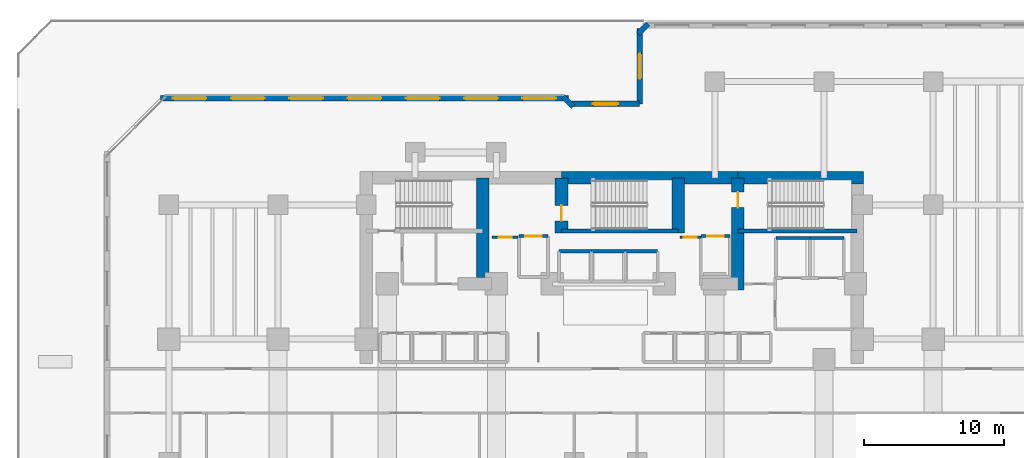
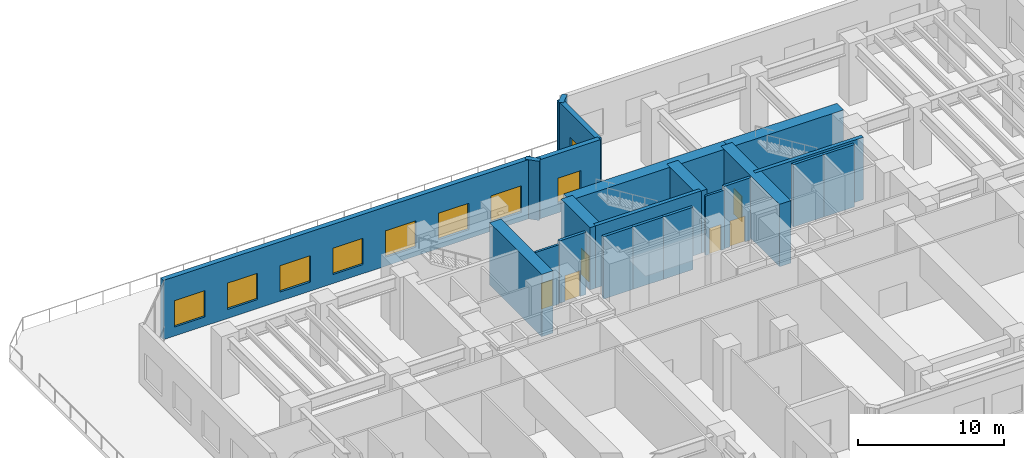
# One storey, part 7 of 13: 22 walls, 9 windows, 6 doors, 15 openings.
"""IFC4 building model written with IfcOpenShell, lengths in metres."""

from ifc_helpers import new_model, si_unit, direction, frame, frame_2d, origin, place, context, subcontext, project, spatial, rectangle, extrude, material, layer, layer_set, type_object, element, fill, save


model = new_model("IFC4")

# Units and contexts
model_context = context("Model", 3, precision=1e-05, world=origin(), true_north=direction((0.0, 1.0)))
body_context = subcontext(model_context, "Body", "Model", "MODEL_VIEW")
ifc_project = project(units=[si_unit("LENGTHUNIT", "METRE"), si_unit("AREAUNIT", "SQUARE_METRE"), si_unit("VOLUMEUNIT", "CUBIC_METRE"), si_unit("PLANEANGLEUNIT", "RADIAN"), si_unit("MASSUNIT", "GRAM", prefix="KILO")], contexts=[model_context])

# Site, building, storey
site_placement = place(None, origin())
site = spatial("IfcSite", under=ifc_project, at=site_placement, CompositionType="ELEMENT")
building_placement = place(site_placement, origin())
building = spatial("IfcBuilding", under=site, at=building_placement, Name="Kestravale Grand Hotel", CompositionType="ELEMENT")
storey_placement = place(building_placement, frame((0.0, 0.0, 20.800048828125)))
storey = spatial("IfcBuildingStorey", under=building, at=storey_placement, Name="L04", CompositionType="ELEMENT", Elevation=20.800048828125)

# Walls
ifc_material_1 = material(Name="Concrete f'c 70 MPa", Category="concrete")
ifc_layer_1 = layer(ifc_material_1, 0.89990234375)
ifc_layer_set_1 = layer_set([ifc_layer_1], Name="EW-CORE-900")
wall_type_1 = type_object("IfcWallType", Name="EW-CORE-900", PredefinedType="SHEAR", material=ifc_layer_set_1)
wall_1_placement = place(storey_placement, frame((35.85009765625, 40.320068359375, 0.0), z_axis=(0.0, 0.0, 1.0), x_axis=(1.0, 0.0, 0.0)))
element("IfcWall", 1, at=wall_1_placement, inside=storey, type_object=wall_type_1, Name="L04 core shear wall N2", PredefinedType="SHEAR", context=body_context, shape_type="SweptSolid", body=[
    extrude(rectangle(XDim=12.599853515625, YDim=0.89990234375, at=frame_2d((6.2998046875, 0.0))), origin(), (0.0, 0.0, 1.0), 5.199951171875),
])
wall_2_placement = place(storey_placement, frame((48.449951171875, 40.320068359375, 0.0), z_axis=(0.0, 0.0, 1.0), x_axis=(1.0, 0.0, 0.0)))
element("IfcWall", 2, at=wall_2_placement, inside=storey, type_object=wall_type_1, Name="L04 core shear wall N3", PredefinedType="SHEAR", context=body_context, shape_type="SweptSolid", body=[
    extrude(rectangle(XDim=8.969970703125, YDim=0.89990234375, at=frame_2d((4.48486328125, 0.0))), origin(), (0.0, 0.0, 1.0), 5.199951171875),
])
wall_3_placement = place(storey_placement, frame((30.219970703125, 33.199951171875, 0.0), z_axis=(0.0, 0.0, 1.0), x_axis=(0.0, 1.0, 0.0)))
element("IfcWall", 3, at=wall_3_placement, inside=storey, type_object=wall_type_1, Name="L04 core shear wall X1", PredefinedType="SHEAR", context=body_context, shape_type="SweptSolid", body=[
    extrude(rectangle(XDim=7.1201171875, YDim=0.89990234375, at=frame_2d((3.56005859375, 0.0))), origin(), (0.0, 0.0, 1.0), 5.199951171875),
])

# Wall, opening, door
wall_4_placement = place(storey_placement, frame((35.85009765625, 36.3701171875, 0.0), z_axis=(0.0, 0.0, 1.0), x_axis=(0.0, 1.0, 0.0)))
wall_4 = element("IfcWall", 4, at=wall_4_placement, inside=storey, type_object=wall_type_1, Name="L04 core shear wall X2", PredefinedType="SHEAR", context=body_context, shape_type="SweptSolid", body=[
    extrude(rectangle(XDim=3.949951171875, YDim=0.89990234375, at=frame_2d((1.97509765625, 0.0))), origin(), (0.0, 0.0, 1.0), 5.199951171875),
])
opening_1_placement = place(wall_4_placement, frame((0.8798828125, 0.0, 0.0)))
opening_1 = element("IfcOpeningElement", 5, at=opening_1_placement, cuts=wall_4, Name="Opening D-ST-1100", PredefinedType="OPENING", context=body_context, shape_type="SweptSolid", body=[
    extrude(rectangle(XDim=1.10009765625, YDim=2.14990234375, at=frame_2d((0.550048828125, 1.074951171875))), frame((0.0, 0.4599609375, 0.0), z_axis=(0.0, -1.0, 0.0), x_axis=(1.0, 0.0, 0.0)), (0.0, 0.0, 1.0), 0.919921875),
])
ifc_material_2 = material(Name="Galvanised 90-minute fire-rated steel stair door", Category="steel")
door_type_1 = type_object("IfcDoorType", Name="D-ST-1100", OperationType="NOTDEFINED", PredefinedType="DOOR", material=ifc_material_2)
door_1_placement = place(opening_1_placement, origin())
door_1 = element("IfcDoor", 6, at=door_1_placement, inside=storey, type_object=door_type_1, Name="L04 Stair ST-2 FSAE fire door", OperationType="SINGLE_SWING_RIGHT", OverallHeight=2.14990234375, OverallWidth=1.10009765625, PredefinedType="DOOR", context=body_context, shape_type="SweptSolid", body=[
    extrude(rectangle(XDim=1.10009765625, YDim=2.14990234375, at=frame_2d((0.550048828125, 1.074951171875))), frame((0.0, 0.02490234375, 0.0), z_axis=(0.0, -1.0, 0.0), x_axis=(1.0, 0.0, 0.0)), (0.0, 0.0, 1.0), 0.050048828125),
])
fill(opening_1, door_1)

# Wall
wall_5_placement = place(storey_placement, frame((44.179931640625, 36.3701171875, 0.0), z_axis=(0.0, 0.0, 1.0), x_axis=(0.0, 1.0, 0.0)))
element("IfcWall", 7, at=wall_5_placement, inside=storey, type_object=wall_type_1, Name="L04 core shear wall X3", PredefinedType="SHEAR", context=body_context, shape_type="SweptSolid", body=[
    extrude(rectangle(XDim=3.949951171875, YDim=0.89990234375, at=frame_2d((1.97509765625, 0.0))), origin(), (0.0, 0.0, 1.0), 5.199951171875),
])

# Wall, opening, door
wall_6_placement = place(storey_placement, frame((48.449951171875, 32.300048828125, 0.0), z_axis=(0.0, 0.0, 1.0), x_axis=(0.0, 1.0, 0.0)))
wall_6 = element("IfcWall", 8, at=wall_6_placement, inside=storey, type_object=wall_type_1, Name="L04 core shear wall X4", PredefinedType="SHEAR", context=body_context, shape_type="SweptSolid", body=[
    extrude(rectangle(XDim=8.02001953125, YDim=0.89990234375, at=frame_2d((4.010009765625, 0.0))), origin(), (0.0, 0.0, 1.0), 5.199951171875),
])
opening_2_placement = place(wall_6_placement, frame((5.89990234375, 0.0, 0.0)))
opening_2 = element("IfcOpeningElement", 9, at=opening_2_placement, cuts=wall_6, Name="Opening D-ST-1100", PredefinedType="OPENING", context=body_context, shape_type="SweptSolid", body=[
    extrude(rectangle(XDim=1.10009765625, YDim=2.14990234375, at=frame_2d((0.550048828125, 1.074951171875))), frame((0.0, 0.4599609375, 0.0), z_axis=(0.0, -1.0, 0.0), x_axis=(1.0, 0.0, 0.0)), (0.0, 0.0, 1.0), 0.919921875),
])
door_2_placement = place(opening_2_placement, origin())
door_2 = element("IfcDoor", 10, at=door_2_placement, inside=storey, type_object=door_type_1, Name="L04 Stair ST-3 FSAE fire door", OperationType="SINGLE_SWING_RIGHT", OverallHeight=2.14990234375, OverallWidth=1.10009765625, PredefinedType="DOOR", context=body_context, shape_type="SweptSolid", body=[
    extrude(rectangle(XDim=1.10009765625, YDim=2.14990234375, at=frame_2d((0.550048828125, 1.074951171875))), frame((0.0, 0.02490234375, 0.0), z_axis=(0.0, -1.0, 0.0), x_axis=(1.0, 0.0, 0.0)), (0.0, 0.0, 1.0), 0.050048828125),
])
fill(opening_2, door_2)

# Wall
ifc_material_3 = material(Name="Precast concrete f'c 45 MPa", Category="concrete")
ifc_layer_2 = layer(ifc_material_3, 0.3798828125)
ifc_layer_set_2 = layer_set([ifc_layer_2], Name="EW-POD-380")
wall_type_2 = type_object("IfcWallType", Name="EW-POD-380", PredefinedType="SOLIDWALL", material=ifc_layer_set_2)
wall_7_placement = place(storey_placement, frame((42.04443359375, 51.32568359375, 0.0), z_axis=(0.0, 0.0, 1.0), x_axis=(-0.707106781187, -0.707106781187, 0.0)))
element("IfcWall", 11, at=wall_7_placement, inside=storey, type_object=wall_type_2, Name="L04 fluted precast facade wall 12", PredefinedType="SOLIDWALL", context=body_context, shape_type="SweptSolid", body=[
    extrude(rectangle(XDim=1.0185546875, YDim=0.3798828125, at=frame_2d((0.50927734375, 0.0))), origin(), (0.0, 0.0, 1.0), 4.93994140625),
])

# Wall, opening, window
wall_8_placement = place(storey_placement, frame((41.43994140625, 50.989990234375, 0.0), z_axis=(0.0, 0.0, 1.0), x_axis=(0.0, -1.0, 0.0)))
wall_8 = element("IfcWall", 12, at=wall_8_placement, inside=storey, type_object=wall_type_2, Name="L04 fluted precast facade wall 13", PredefinedType="SOLIDWALL", context=body_context, shape_type="SweptSolid", body=[
    extrude(rectangle(XDim=5.3798828125, YDim=0.3798828125, at=frame_2d((2.68994140625, 0.0))), origin(), (0.0, 0.0, 1.0), 4.93994140625),
])
opening_3_placement = place(wall_8_placement, frame((1.7900390625, 0.0, 0.800048828125)))
opening_3 = element("IfcOpeningElement", 13, at=opening_3_placement, cuts=wall_8, Name="Opening W-POD-1800", PredefinedType="OPENING", context=body_context, shape_type="SweptSolid", body=[
    extrude(rectangle(XDim=1.800048828125, YDim=2.10009765625, at=frame_2d((0.89990234375, 1.050048828125))), frame((0.0, 0.199951171875, 0.0), z_axis=(0.0, -1.0, 0.0), x_axis=(1.0, 0.0, 0.0)), (0.0, 0.0, 1.0), 0.39990234375),
])
ifc_material_4 = material(Name="Insulated low-E double glazing in aluminium frame", Category="aluminium")
window_type_1 = type_object("IfcWindowType", Name="W-POD-1800", PartitioningType="DOUBLE_PANEL_VERTICAL", PredefinedType="WINDOW", material=ifc_material_4)
window_1_placement = place(opening_3_placement, origin())
window_1 = element("IfcWindow", 14, at=window_1_placement, inside=storey, type_object=window_type_1, Name="L04 exterior window 13.1", OverallHeight=2.10009765625, OverallWidth=1.800048828125, PartitioningType="SINGLE_PANEL", PredefinedType="WINDOW", context=body_context, shape_type="SweptSolid", body=[
    extrude(rectangle(XDim=1.800048828125, YDim=2.10009765625, at=frame_2d((0.89990234375, 1.050048828125))), frame((0.0, 0.030029296875, 0.0), z_axis=(0.0, -1.0, 0.0), x_axis=(1.0, 0.0, 0.0)), (0.0, 0.0, 1.0), 0.06005859375),
])
fill(opening_3, window_1)

wall_9_placement = place(storey_placement, frame((41.43994140625, 45.610107421875, 0.0), z_axis=(0.0, 0.0, 1.0), x_axis=(-1.0, 0.0, 0.0)))
wall_9 = element("IfcWall", 15, at=wall_9_placement, inside=storey, type_object=wall_type_2, Name="L04 fluted precast facade wall 14", PredefinedType="SOLIDWALL", context=body_context, shape_type="SweptSolid", body=[
    extrude(rectangle(XDim=4.8798828125, YDim=0.3798828125, at=frame_2d((2.43994140625, 0.0))), origin(), (0.0, 0.0, 1.0), 4.93994140625),
])
opening_4_placement = place(wall_9_placement, frame((1.5400390625, 0.0, 0.800048828125)))
opening_4 = element("IfcOpeningElement", 16, at=opening_4_placement, cuts=wall_9, Name="Opening W-POD-1800", PredefinedType="OPENING", context=body_context, shape_type="SweptSolid", body=[
    extrude(rectangle(XDim=1.800048828125, YDim=2.10009765625, at=frame_2d((0.89990234375, 1.050048828125))), frame((0.0, 0.199951171875, 0.0), z_axis=(0.0, -1.0, 0.0), x_axis=(1.0, 0.0, 0.0)), (0.0, 0.0, 1.0), 0.39990234375),
])
window_2_placement = place(opening_4_placement, origin())
window_2 = element("IfcWindow", 17, at=window_2_placement, inside=storey, type_object=window_type_1, Name="L04 exterior window 14.1", OverallHeight=2.10009765625, OverallWidth=1.800048828125, PartitioningType="SINGLE_PANEL", PredefinedType="WINDOW", context=body_context, shape_type="SweptSolid", body=[
    extrude(rectangle(XDim=1.800048828125, YDim=2.10009765625, at=frame_2d((0.89990234375, 1.050048828125))), frame((0.0, 0.030029296875, 0.0), z_axis=(0.0, -1.0, 0.0), x_axis=(1.0, 0.0, 0.0)), (0.0, 0.0, 1.0), 0.06005859375),
])
fill(opening_4, window_2)

# Wall
wall_10_placement = place(storey_placement, frame((36.67578125, 45.405517578125, 0.0), z_axis=(0.0, 0.0, 1.0), x_axis=(-0.707106781187, 0.707106781187, 0.0)))
element("IfcWall", 18, at=wall_10_placement, inside=storey, type_object=wall_type_2, Name="L04 fluted precast facade wall 16", PredefinedType="SOLIDWALL", context=body_context, shape_type="SweptSolid", body=[
    extrude(rectangle(XDim=1.0185546875, YDim=0.3798828125, at=frame_2d((0.50927734375, 0.0))), origin(), (0.0, 0.0, 1.0), 4.93994140625),
])

# Wall, openings, windows
wall_11_placement = place(storey_placement, frame((36.340087890625, 46.010009765625, 0.0), z_axis=(0.0, 0.0, 1.0), x_axis=(-1.0, 0.0, 0.0)))
wall_11 = element("IfcWall", 19, at=wall_11_placement, inside=storey, type_object=wall_type_2, Name="L04 fluted precast facade wall 17", PredefinedType="SOLIDWALL", context=body_context, shape_type="SweptSolid", body=[
    extrude(rectangle(XDim=29.130126953125, YDim=0.3798828125, at=frame_2d((14.56494140625, 0.0))), origin(), (0.0, 0.0, 1.0), 4.93994140625),
])
opening_5_placement = place(wall_11_placement, frame((0.880615234375, 0.0, 0.75)))
opening_5 = element("IfcOpeningElement", 20, at=opening_5_placement, cuts=wall_11, Name="Opening W-POD-2400", PredefinedType="OPENING", context=body_context, shape_type="SweptSolid", body=[
    extrude(rectangle(XDim=2.39990234375, YDim=2.199951171875, at=frame_2d((1.199951171875, 1.10009765625))), frame((0.0, 0.199951171875, 0.0), z_axis=(0.0, -1.0, 0.0), x_axis=(1.0, 0.0, 0.0)), (0.0, 0.0, 1.0), 0.39990234375),
])
opening_6_placement = place(wall_11_placement, frame((5.0419921875, 0.0, 0.75)))
opening_6 = element("IfcOpeningElement", 21, at=opening_6_placement, cuts=wall_11, Name="Opening W-POD-2400", PredefinedType="OPENING", context=body_context, shape_type="SweptSolid", body=[
    extrude(rectangle(XDim=2.39990234375, YDim=2.199951171875, at=frame_2d((1.199951171875, 1.10009765625))), frame((0.0, 0.199951171875, 0.0), z_axis=(0.0, -1.0, 0.0), x_axis=(1.0, 0.0, 0.0)), (0.0, 0.0, 1.0), 0.39990234375),
])
opening_7_placement = place(wall_11_placement, frame((9.20361328125, 0.0, 0.75)))
opening_7 = element("IfcOpeningElement", 22, at=opening_7_placement, cuts=wall_11, Name="Opening W-POD-2400", PredefinedType="OPENING", context=body_context, shape_type="SweptSolid", body=[
    extrude(rectangle(XDim=2.39990234375, YDim=2.199951171875, at=frame_2d((1.199951171875, 1.10009765625))), frame((0.0, 0.199951171875, 0.0), z_axis=(0.0, -1.0, 0.0), x_axis=(1.0, 0.0, 0.0)), (0.0, 0.0, 1.0), 0.39990234375),
])
opening_8_placement = place(wall_11_placement, frame((13.364990234375, 0.0, 0.75)))
opening_8 = element("IfcOpeningElement", 23, at=opening_8_placement, cuts=wall_11, Name="Opening W-POD-2400", PredefinedType="OPENING", context=body_context, shape_type="SweptSolid", body=[
    extrude(rectangle(XDim=2.39990234375, YDim=2.199951171875, at=frame_2d((1.199951171875, 1.10009765625))), frame((0.0, 0.199951171875, 0.0), z_axis=(0.0, -1.0, 0.0), x_axis=(1.0, 0.0, 0.0)), (0.0, 0.0, 1.0), 0.39990234375),
])
opening_9_placement = place(wall_11_placement, frame((17.5263671875, 0.0, 0.75)))
opening_9 = element("IfcOpeningElement", 24, at=opening_9_placement, cuts=wall_11, Name="Opening W-POD-2400", PredefinedType="OPENING", context=body_context, shape_type="SweptSolid", body=[
    extrude(rectangle(XDim=2.39990234375, YDim=2.199951171875, at=frame_2d((1.199951171875, 1.10009765625))), frame((0.0, 0.199951171875, 0.0), z_axis=(0.0, -1.0, 0.0), x_axis=(1.0, 0.0, 0.0)), (0.0, 0.0, 1.0), 0.39990234375),
])
opening_10_placement = place(wall_11_placement, frame((21.68798828125, 0.0, 0.75)))
opening_10 = element("IfcOpeningElement", 25, at=opening_10_placement, cuts=wall_11, Name="Opening W-POD-2400", PredefinedType="OPENING", context=body_context, shape_type="SweptSolid", body=[
    extrude(rectangle(XDim=2.39990234375, YDim=2.199951171875, at=frame_2d((1.199951171875, 1.10009765625))), frame((0.0, 0.199951171875, 0.0), z_axis=(0.0, -1.0, 0.0), x_axis=(1.0, 0.0, 0.0)), (0.0, 0.0, 1.0), 0.39990234375),
])
opening_11_placement = place(wall_11_placement, frame((25.849365234375, 0.0, 0.75)))
opening_11 = element("IfcOpeningElement", 26, at=opening_11_placement, cuts=wall_11, Name="Opening W-POD-2400", PredefinedType="OPENING", context=body_context, shape_type="SweptSolid", body=[
    extrude(rectangle(XDim=2.39990234375, YDim=2.199951171875, at=frame_2d((1.199951171875, 1.10009765625))), frame((0.0, 0.199951171875, 0.0), z_axis=(0.0, -1.0, 0.0), x_axis=(1.0, 0.0, 0.0)), (0.0, 0.0, 1.0), 0.39990234375),
])
ifc_material_5 = material(Name="Insulated low-E double glazing in aluminium frame", Category="aluminium")
window_type_2 = type_object("IfcWindowType", Name="W-POD-2400", PartitioningType="DOUBLE_PANEL_VERTICAL", PredefinedType="WINDOW", material=ifc_material_5)
window_3_placement = place(opening_5_placement, origin())
window_3 = element("IfcWindow", 27, at=window_3_placement, inside=storey, type_object=window_type_2, Name="L04 exterior window 17.1", OverallHeight=2.199951171875, OverallWidth=2.39990234375, PartitioningType="SINGLE_PANEL", PredefinedType="WINDOW", context=body_context, shape_type="SweptSolid", body=[
    extrude(rectangle(XDim=2.39990234375, YDim=2.199951171875, at=frame_2d((1.199951171875, 1.10009765625))), frame((0.0, 0.030029296875, 0.0), z_axis=(0.0, -1.0, 0.0), x_axis=(1.0, 0.0, 0.0)), (0.0, 0.0, 1.0), 0.06005859375),
])
fill(opening_5, window_3)
window_4_placement = place(opening_6_placement, origin())
window_4 = element("IfcWindow", 28, at=window_4_placement, inside=storey, type_object=window_type_2, Name="L04 exterior window 17.2", OverallHeight=2.199951171875, OverallWidth=2.39990234375, PartitioningType="SINGLE_PANEL", PredefinedType="WINDOW", context=body_context, shape_type="SweptSolid", body=[
    extrude(rectangle(XDim=2.39990234375, YDim=2.199951171875, at=frame_2d((1.199951171875, 1.10009765625))), frame((0.0, 0.030029296875, 0.0), z_axis=(0.0, -1.0, 0.0), x_axis=(1.0, 0.0, 0.0)), (0.0, 0.0, 1.0), 0.06005859375),
])
fill(opening_6, window_4)
window_5_placement = place(opening_7_placement, origin())
window_5 = element("IfcWindow", 29, at=window_5_placement, inside=storey, type_object=window_type_2, Name="L04 exterior window 17.3", OverallHeight=2.199951171875, OverallWidth=2.39990234375, PartitioningType="SINGLE_PANEL", PredefinedType="WINDOW", context=body_context, shape_type="SweptSolid", body=[
    extrude(rectangle(XDim=2.39990234375, YDim=2.199951171875, at=frame_2d((1.199951171875, 1.10009765625))), frame((0.0, 0.030029296875, 0.0), z_axis=(0.0, -1.0, 0.0), x_axis=(1.0, 0.0, 0.0)), (0.0, 0.0, 1.0), 0.06005859375),
])
fill(opening_7, window_5)
window_6_placement = place(opening_8_placement, origin())
window_6 = element("IfcWindow", 30, at=window_6_placement, inside=storey, type_object=window_type_2, Name="L04 exterior window 17.4", OverallHeight=2.199951171875, OverallWidth=2.39990234375, PartitioningType="SINGLE_PANEL", PredefinedType="WINDOW", context=body_context, shape_type="SweptSolid", body=[
    extrude(rectangle(XDim=2.39990234375, YDim=2.199951171875, at=frame_2d((1.199951171875, 1.10009765625))), frame((0.0, 0.030029296875, 0.0), z_axis=(0.0, -1.0, 0.0), x_axis=(1.0, 0.0, 0.0)), (0.0, 0.0, 1.0), 0.06005859375),
])
fill(opening_8, window_6)
window_7_placement = place(opening_9_placement, origin())
window_7 = element("IfcWindow", 31, at=window_7_placement, inside=storey, type_object=window_type_2, Name="L04 exterior window 17.5", OverallHeight=2.199951171875, OverallWidth=2.39990234375, PartitioningType="SINGLE_PANEL", PredefinedType="WINDOW", context=body_context, shape_type="SweptSolid", body=[
    extrude(rectangle(XDim=2.39990234375, YDim=2.199951171875, at=frame_2d((1.199951171875, 1.10009765625))), frame((0.0, 0.030029296875, 0.0), z_axis=(0.0, -1.0, 0.0), x_axis=(1.0, 0.0, 0.0)), (0.0, 0.0, 1.0), 0.06005859375),
])
fill(opening_9, window_7)
window_8_placement = place(opening_10_placement, origin())
window_8 = element("IfcWindow", 32, at=window_8_placement, inside=storey, type_object=window_type_2, Name="L04 exterior window 17.6", OverallHeight=2.199951171875, OverallWidth=2.39990234375, PartitioningType="SINGLE_PANEL", PredefinedType="WINDOW", context=body_context, shape_type="SweptSolid", body=[
    extrude(rectangle(XDim=2.39990234375, YDim=2.199951171875, at=frame_2d((1.199951171875, 1.10009765625))), frame((0.0, 0.030029296875, 0.0), z_axis=(0.0, -1.0, 0.0), x_axis=(1.0, 0.0, 0.0)), (0.0, 0.0, 1.0), 0.06005859375),
])
fill(opening_10, window_8)
window_9_placement = place(opening_11_placement, origin())
window_9 = element("IfcWindow", 33, at=window_9_placement, inside=storey, type_object=window_type_2, Name="L04 exterior window 17.7", OverallHeight=2.199951171875, OverallWidth=2.39990234375, PartitioningType="SINGLE_PANEL", PredefinedType="WINDOW", context=body_context, shape_type="SweptSolid", body=[
    extrude(rectangle(XDim=2.39990234375, YDim=2.199951171875, at=frame_2d((1.199951171875, 1.10009765625))), frame((0.0, 0.030029296875, 0.0), z_axis=(0.0, -1.0, 0.0), x_axis=(1.0, 0.0, 0.0)), (0.0, 0.0, 1.0), 0.06005859375),
])
fill(opening_11, window_9)

# Walls
ifc_material_6 = material(Name="Concrete f'c 45 MPa", Category="concrete")
ifc_layer_3 = layer(ifc_material_6, 0.300048828125)
ifc_layer_set_3 = layer_set([ifc_layer_3], Name="EW-STAIR-300")
wall_type_3 = type_object("IfcWallType", Name="EW-STAIR-300", PredefinedType="SHEAR", material=ifc_layer_set_3)
wall_12_placement = place(storey_placement, frame((35.85009765625, 36.52001953125, 0.0), z_axis=(0.0, 0.0, 1.0), x_axis=(1.0, 0.0, 0.0)))
element("IfcWall", 34, at=wall_12_placement, inside=storey, type_object=wall_type_3, Name="L04 stair enclosure shear wall SST2", PredefinedType="SHEAR", context=body_context, shape_type="SweptSolid", body=[
    extrude(rectangle(XDim=8.329833984375, YDim=0.300048828125, at=frame_2d((4.1650390625, 0.0))), origin(), (0.0, 0.0, 1.0), 5.199951171875),
])
wall_13_placement = place(storey_placement, frame((48.449951171875, 36.52001953125, 0.0), z_axis=(0.0, 0.0, 1.0), x_axis=(1.0, 0.0, 0.0)))
element("IfcWall", 35, at=wall_13_placement, inside=storey, type_object=wall_type_3, Name="L04 stair enclosure shear wall SST3", PredefinedType="SHEAR", context=body_context, shape_type="SweptSolid", body=[
    extrude(rectangle(XDim=8.52001953125, YDim=0.300048828125, at=frame_2d((4.260009765625, 0.0))), origin(), (0.0, 0.0, 1.0), 5.199951171875),
])

# Wall, opening, door
ifc_material_7 = material(Name="Fire-rated gypsum board on steel studs with mineral wool", Category="steel")
ifc_layer_4 = layer(ifc_material_7, 0.179931640625)
ifc_layer_set_4 = layer_set([ifc_layer_4], Name="IW-FSAE-180")
wall_type_4 = type_object("IfcWallType", Name="IW-FSAE-180", PredefinedType="PARTITIONING", material=ifc_layer_set_4)
wall_14_placement = place(storey_placement, frame((30.89990234375, 36.080078125, 0.0), z_axis=(0.0, 0.0, 1.0), x_axis=(1.0, 0.0, 0.0)))
wall_14 = element("IfcWall", 36, at=wall_14_placement, inside=storey, type_object=wall_type_4, Name="L04 FSAE Lobby 1 smoke barrier", PredefinedType="PARTITIONING", context=body_context, shape_type="SweptSolid", body=[
    extrude(rectangle(XDim=1.85009765625, YDim=0.179931640625, at=frame_2d((0.925048828125, 0.0))), origin(), (0.0, 0.0, 1.0), 4.93994140625),
])
opening_12_placement = place(wall_14_placement, frame((0.47998046875, 0.0, 0.0)))
opening_12 = element("IfcOpeningElement", 37, at=opening_12_placement, cuts=wall_14, Name="Opening D-FSAE-1000", PredefinedType="OPENING", context=body_context, shape_type="SweptSolid", body=[
    extrude(rectangle(XDim=0.89990234375, YDim=2.14990234375, at=frame_2d((0.449951171875, 1.074951171875))), frame((0.0, 0.099853515625, 0.0), z_axis=(0.0, -1.0, 0.0), x_axis=(1.0, 0.0, 0.0)), (0.0, 0.0, 1.0), 0.199951171875),
])
ifc_material_8 = material(Name="Smoke-gasketed FSAE lobby fire door", Category="steel")
door_type_2 = type_object("IfcDoorType", Name="D-FSAE-1000", OperationType="NOTDEFINED", PredefinedType="DOOR", material=ifc_material_8)
door_3_placement = place(opening_12_placement, origin())
door_3 = element("IfcDoor", 38, at=door_3_placement, inside=storey, type_object=door_type_2, Name="L04 FSAE Lobby 1 fire door", OperationType="SINGLE_SWING_RIGHT", OverallHeight=2.14990234375, OverallWidth=0.89990234375, PredefinedType="DOOR", context=body_context, shape_type="SweptSolid", body=[
    extrude(rectangle(XDim=0.89990234375, YDim=2.14990234375, at=frame_2d((0.449951171875, 1.074951171875))), frame((0.0, 0.02490234375, 0.0), z_axis=(0.0, -1.0, 0.0), x_axis=(1.0, 0.0, 0.0)), (0.0, 0.0, 1.0), 0.050048828125),
])
fill(opening_12, door_3)

wall_15_placement = place(storey_placement, frame((44.300048828125, 36.080078125, 0.0), z_axis=(0.0, 0.0, 1.0), x_axis=(1.0, 0.0, 0.0)))
wall_15 = element("IfcWall", 39, at=wall_15_placement, inside=storey, type_object=wall_type_4, Name="L04 FSAE Lobby 2 smoke barrier", PredefinedType="PARTITIONING", context=body_context, shape_type="SweptSolid", body=[
    extrude(rectangle(XDim=1.5, YDim=0.179931640625, at=frame_2d((0.75, 0.0))), origin(), (0.0, 0.0, 1.0), 4.93994140625),
])
opening_13_placement = place(wall_15_placement, frame((0.300048828125, 0.0, 0.0)))
opening_13 = element("IfcOpeningElement", 40, at=opening_13_placement, cuts=wall_15, Name="Opening D-FSAE-1000", PredefinedType="OPENING", context=body_context, shape_type="SweptSolid", body=[
    extrude(rectangle(XDim=0.89990234375, YDim=2.14990234375, at=frame_2d((0.449951171875, 1.074951171875))), frame((0.0, 0.099853515625, 0.0), z_axis=(0.0, -1.0, 0.0), x_axis=(1.0, 0.0, 0.0)), (0.0, 0.0, 1.0), 0.199951171875),
])
door_4_placement = place(opening_13_placement, origin())
door_4 = element("IfcDoor", 41, at=door_4_placement, inside=storey, type_object=door_type_2, Name="L04 FSAE Lobby 2 fire door", OperationType="SINGLE_SWING_LEFT", OverallHeight=2.14990234375, OverallWidth=0.89990234375, PredefinedType="DOOR", context=body_context, shape_type="SweptSolid", body=[
    extrude(rectangle(XDim=0.89990234375, YDim=2.14990234375, at=frame_2d((0.449951171875, 1.074951171875))), frame((0.0, 0.02490234375, 0.0), z_axis=(0.0, -1.0, 0.0), x_axis=(1.0, 0.0, 0.0)), (0.0, 0.0, 1.0), 0.050048828125),
])
fill(opening_13, door_4)

# Walls
ifc_material_9 = material(Name="Concrete f'c 45 MPa", Category="concrete")
ifc_layer_5 = layer(ifc_material_9, 0.219970703125)
ifc_layer_set_5 = layer_set([ifc_layer_5], Name="IW-SHAFT-220")
wall_type_5 = type_object("IfcWallType", Name="IW-SHAFT-220", PredefinedType="SHEAR", material=ifc_layer_set_5)
wall_16_placement = place(storey_placement, frame((35.679931640625, 35.080078125, 0.0), z_axis=(0.0, 0.0, 1.0), x_axis=(1.0, 0.0, 0.0)))
element("IfcWall", 42, at=wall_16_placement, inside=storey, type_object=wall_type_5, Name="L04 PL-X1 north shaft wall", PredefinedType="SHEAR", context=body_context, shape_type="SweptSolid", body=[
    extrude(rectangle(XDim=2.320068359375, YDim=0.219970703125, at=frame_2d((1.16015625, 0.0))), origin(), (0.0, 0.0, 1.0), 5.199951171875),
])
wall_17_placement = place(storey_placement, frame((38.0, 35.080078125, 0.0), z_axis=(0.0, 0.0, 1.0), x_axis=(1.0, 0.0, 0.0)))
element("IfcWall", 43, at=wall_17_placement, inside=storey, type_object=wall_type_5, Name="L04 PL-X2 north shaft wall", PredefinedType="SHEAR", context=body_context, shape_type="SweptSolid", body=[
    extrude(rectangle(XDim=2.39990234375, YDim=0.219970703125, at=frame_2d((1.199951171875, 0.0))), origin(), (0.0, 0.0, 1.0), 5.199951171875),
])
wall_18_placement = place(storey_placement, frame((40.39990234375, 35.080078125, 0.0), z_axis=(0.0, 0.0, 1.0), x_axis=(1.0, 0.0, 0.0)))
element("IfcWall", 44, at=wall_18_placement, inside=storey, type_object=wall_type_5, Name="L04 PL-X3 north shaft wall", PredefinedType="SHEAR", context=body_context, shape_type="SweptSolid", body=[
    extrude(rectangle(XDim=2.320068359375, YDim=0.219970703125, at=frame_2d((1.16015625, 0.0))), origin(), (0.0, 0.0, 1.0), 5.199951171875),
])
wall_19_placement = place(storey_placement, frame((51.179931640625, 36.030029296875, 0.0), z_axis=(0.0, 0.0, 1.0), x_axis=(1.0, 0.0, 0.0)))
element("IfcWall", 45, at=wall_19_placement, inside=storey, type_object=wall_type_5, Name="L04 SL-1 north shaft wall", PredefinedType="SHEAR", context=body_context, shape_type="SweptSolid", body=[
    extrude(rectangle(XDim=2.420166015625, YDim=0.219970703125, at=frame_2d((1.2099609375, 0.0))), origin(), (0.0, 0.0, 1.0), 5.199951171875),
])
wall_20_placement = place(storey_placement, frame((53.60009765625, 36.030029296875, 0.0), z_axis=(0.0, 0.0, 1.0), x_axis=(1.0, 0.0, 0.0)))
element("IfcWall", 46, at=wall_20_placement, inside=storey, type_object=wall_type_5, Name="L04 SL-2 north shaft wall", PredefinedType="SHEAR", context=body_context, shape_type="SweptSolid", body=[
    extrude(rectangle(XDim=2.419921875, YDim=0.219970703125, at=frame_2d((1.2099609375, 0.0))), origin(), (0.0, 0.0, 1.0), 5.199951171875),
])

# Wall, opening, door
wall_21_placement = place(storey_placement, frame((32.804931640625, 36.155029296875, 0.0), z_axis=(0.0, 0.0, 1.0), x_axis=(1.0, 0.0, 0.0)))
wall_21 = element("IfcWall", 47, at=wall_21_placement, inside=storey, type_object=wall_type_5, Name="L04 FL-1 north shaft wall", PredefinedType="SHEAR", context=body_context, shape_type="SweptSolid", body=[
    extrude(rectangle(XDim=2.090087890625, YDim=0.219970703125, at=frame_2d((1.044921875, 0.0))), origin(), (0.0, 0.0, 1.0), 5.199951171875),
])
opening_14_placement = place(wall_21_placement, frame((0.445068359375, 0.0, 0.0)))
opening_14 = element("IfcOpeningElement", 48, at=opening_14_placement, cuts=wall_21, Name="Opening LD-FSAE-1200", PredefinedType="OPENING", context=body_context, shape_type="SweptSolid", body=[
    extrude(rectangle(XDim=1.199951171875, YDim=2.14990234375, at=frame_2d((0.60009765625, 1.074951171875))), frame((0.0, 0.119873046875, 0.0), z_axis=(0.0, -1.0, 0.0), x_axis=(1.0, 0.0, 0.0)), (0.0, 0.0, 1.0), 0.239990234375),
])
ifc_material_10 = material(Name="Stainless fire-service sliding elevator landing door", Category="steel")
door_type_3 = type_object("IfcDoorType", Name="LD-FSAE-1200", OperationType="NOTDEFINED", PredefinedType="DOOR", material=ifc_material_10)
door_5_placement = place(opening_14_placement, origin())
door_5 = element("IfcDoor", 49, at=door_5_placement, inside=storey, type_object=door_type_3, Name="L04 FL-1 elevator landing sliding door", OperationType="DOUBLE_DOOR_SLIDING", OverallHeight=2.14990234375, OverallWidth=1.199951171875, PredefinedType="DOOR", context=body_context, shape_type="SweptSolid", body=[
    extrude(rectangle(XDim=1.199951171875, YDim=2.14990234375, at=frame_2d((0.60009765625, 1.074951171875))), frame((0.0, 0.02490234375, 0.0), z_axis=(0.0, -1.0, 0.0), x_axis=(1.0, 0.0, 0.0)), (0.0, 0.0, 1.0), 0.050048828125),
])
fill(opening_14, door_5)

wall_22_placement = place(storey_placement, frame((45.804931640625, 36.155029296875, 0.0), z_axis=(0.0, 0.0, 1.0), x_axis=(1.0, 0.0, 0.0)))
wall_22 = element("IfcWall", 50, at=wall_22_placement, inside=storey, type_object=wall_type_5, Name="L04 FL-2 north shaft wall", PredefinedType="SHEAR", context=body_context, shape_type="SweptSolid", body=[
    extrude(rectangle(XDim=2.090087890625, YDim=0.219970703125, at=frame_2d((1.044921875, 0.0))), origin(), (0.0, 0.0, 1.0), 5.199951171875),
])
opening_15_placement = place(wall_22_placement, frame((0.445068359375, 0.0, 0.0)))
opening_15 = element("IfcOpeningElement", 51, at=opening_15_placement, cuts=wall_22, Name="Opening LD-FSAE-1200", PredefinedType="OPENING", context=body_context, shape_type="SweptSolid", body=[
    extrude(rectangle(XDim=1.199951171875, YDim=2.14990234375, at=frame_2d((0.60009765625, 1.074951171875))), frame((0.0, 0.119873046875, 0.0), z_axis=(0.0, -1.0, 0.0), x_axis=(1.0, 0.0, 0.0)), (0.0, 0.0, 1.0), 0.239990234375),
])
door_6_placement = place(opening_15_placement, origin())
door_6 = element("IfcDoor", 52, at=door_6_placement, inside=storey, type_object=door_type_3, Name="L04 FL-2 elevator landing sliding door", OperationType="DOUBLE_DOOR_SLIDING", OverallHeight=2.14990234375, OverallWidth=1.199951171875, PredefinedType="DOOR", context=body_context, shape_type="SweptSolid", body=[
    extrude(rectangle(XDim=1.199951171875, YDim=2.14990234375, at=frame_2d((0.60009765625, 1.074951171875))), frame((0.0, 0.02490234375, 0.0), z_axis=(0.0, -1.0, 0.0), x_axis=(1.0, 0.0, 0.0)), (0.0, 0.0, 1.0), 0.050048828125),
])
fill(opening_15, door_6)

save(model, "model.ifc")
